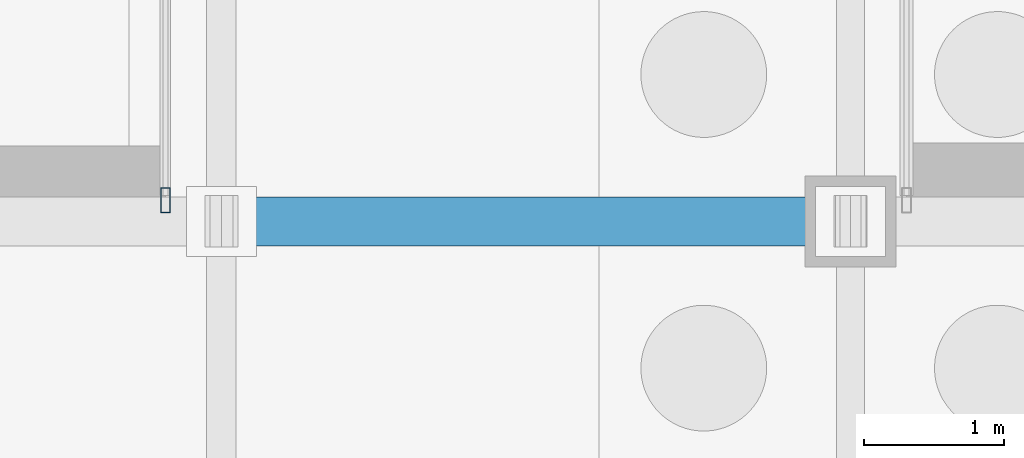
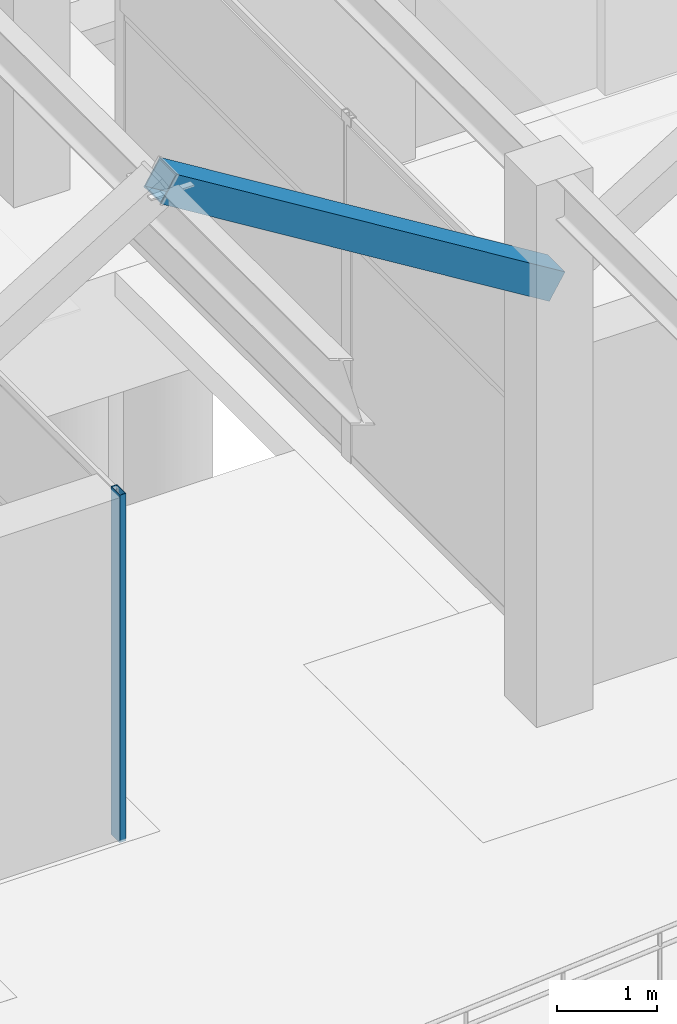
# One storey, part 50 of 160: 2 members, 1 element without a shape of its own.
"""IFC4 building model written with IfcOpenShell, lengths in metres."""

import ifcopenshell
import ifcopenshell.guid

model = None  # the IFC model being written
_history = None  # IfcOwnerHistory: only IFC2X3 demands one
_inside = {}  # id of a spatial element -> (the spatial element, [elements in it])
_under = {}  # id of a project, library or spatial element -> (it, [spatial elements below it])
_declared = {}  # id of a project -> (the project, [libraries it declares])
_typed = {}  # id of a type object -> (the type object, [elements of that type])
_made_of = {}  # id of a material, layer set ... -> (it, [elements and type objects made of it])


def new_model(schema):
    """Start an empty IFC model of exactly this schema.

    Asked for "IFC4X3", IfcOpenShell would pick the latest addendum, in which some entities
    have other attributes; the version numbers below select the first issue.
    IFC2X3 requires an IfcOwnerHistory on every rooted entity: one is made here for all.
    """
    global model, _history
    if schema == "IFC4X3":
        model = ifcopenshell.file(schema_version=(4, 3, 0, 0))
    else:
        model = ifcopenshell.file(schema=schema)
    _inside.clear()
    _under.clear()
    _declared.clear()
    _typed.clear()
    _made_of.clear()
    _history = None
    if model.schema == "IFC2X3":
        org = make("IfcOrganization", Name="unknown")
        user = make(
            "IfcPersonAndOrganization",
            ThePerson=make("IfcPerson", FamilyName="unknown"),
            TheOrganization=org,
        )
        app = make(
            "IfcApplication",
            ApplicationDeveloper=org,
            Version="unknown",
            ApplicationFullName="unknown",
            ApplicationIdentifier="unknown",
        )
        _history = make(
            "IfcOwnerHistory",
            OwningUser=user,
            OwningApplication=app,
            ChangeAction="ADDED",
            CreationDate=0,
        )
    return model


def make(cls, **values):
    """One entity of the class cls with the attributes given. An attribute that is None is left unset."""
    return model.create_entity(
        cls, **{name: value for name, value in values.items() if value is not None}
    )


def rooted(cls, **values):
    """An entity with a GlobalId (a new one), such as an element, a storey or a relation."""
    return make(cls, GlobalId=ifcopenshell.guid.new(), OwnerHistory=_history, **values)


def si_unit(unit_type, name, prefix=None):
    """IfcSIUnit, for example si_unit("LENGTHUNIT", "METRE", prefix="MILLI")."""
    return make("IfcSIUnit", UnitType=unit_type, Prefix=prefix, Name=name)


def assignment(units):
    """IfcUnitAssignment: the units of a project."""
    return None if units is None else make("IfcUnitAssignment", Units=units)


def point(xyz):
    """IfcCartesianPoint."""
    return None if xyz is None else make("IfcCartesianPoint", Coordinates=xyz)


def direction(xyz):
    """IfcDirection."""
    return None if xyz is None else make("IfcDirection", DirectionRatios=xyz)


def frame(location, z_axis=None, x_axis=None):
    """IfcAxis2Placement3D, a coordinate frame: its origin and axes. An axis left out is left unset."""
    return make(
        "IfcAxis2Placement3D",
        Location=point(location),
        Axis=direction(z_axis),
        RefDirection=direction(x_axis),
    )


def frame_2d(location, x_axis=None):
    """IfcAxis2Placement2D, a coordinate frame in the plane: its origin and x axis."""
    return make(
        "IfcAxis2Placement2D", Location=point(location), RefDirection=direction(x_axis)
    )


def origin():
    """The frame at (0, 0, 0) with its axes left unset."""
    return frame((0.0, 0.0, 0.0))


def origin_2d():
    """The frame at (0, 0) in the plane with its x axis left unset."""
    return frame_2d((0.0, 0.0))


def place(relative_to, where):
    """IfcLocalPlacement: puts the frame where relative to a parent placement (None: the world)."""
    return make(
        "IfcLocalPlacement", PlacementRelTo=relative_to, RelativePlacement=where
    )


def context(
    kind, dimensions, precision=None, world=None, true_north=None, identifier=None
):
    """IfcGeometricRepresentationContext, for example the 3D "Model" context."""
    return make(
        "IfcGeometricRepresentationContext",
        ContextIdentifier=identifier,
        ContextType=kind,
        CoordinateSpaceDimension=dimensions,
        Precision=precision,
        WorldCoordinateSystem=world,
        TrueNorth=true_north,
    )


def subcontext(parent, identifier, kind, view, scale=None):
    """IfcGeometricRepresentationSubContext, for example "Body" below "Model"."""
    return make(
        "IfcGeometricRepresentationSubContext",
        ContextIdentifier=identifier,
        ContextType=kind,
        ParentContext=parent,
        TargetScale=scale,
        TargetView=view,
    )


def project(units=None, contexts=None):
    """IfcProject with its units and contexts."""
    return rooted(
        "IfcProject",
        Name="project",
        RepresentationContexts=contexts,
        UnitsInContext=assignment(units),
    )


def spatial(cls, under=None, at=None, **own):
    """A site, building, storey or space (cls), placed at a placement, below another one or the project."""
    s = rooted(cls, ObjectPlacement=at, **own)
    if under is not None:
        _under.setdefault(under.id(), (under, []))[1].append(s)
    return s


def profile(cls, at=None, kind="AREA", **sizes):
    """A parametric profile (cls). Its sizes go by their IFC names, for example OverallWidth=200.0."""
    return make(cls, ProfileType=kind, Position=at, **sizes)


def hollow_rectangle(**sizes):
    """IfcRectangleHollowProfileDef."""
    return profile("IfcRectangleHollowProfileDef", **sizes)


def extrude(swept, where, along, depth):
    """IfcExtrudedAreaSolid: the profile swept, set in the frame where, extruded along a direction by depth."""
    return make(
        "IfcExtrudedAreaSolid",
        SweptArea=swept,
        Position=where,
        ExtrudedDirection=direction(along),
        Depth=depth,
    )


def shape(context_of_items, identifier, shape_type, items):
    """IfcShapeRepresentation: the items that make up one representation, for example the "Body"."""
    return make(
        "IfcShapeRepresentation",
        ContextOfItems=context_of_items,
        RepresentationIdentifier=identifier,
        RepresentationType=shape_type,
        Items=items,
    )


def material(Name=None, Category=None):
    """IfcMaterial."""
    return make("IfcMaterial", Name=Name, Category=Category)


def layer(
    of_material, thickness, ventilated=None, Name=None, Category=None, Priority=None
):
    """IfcMaterialLayer: one layer of a wall or slab, of a material (None: an air gap)."""
    return make(
        "IfcMaterialLayer",
        Material=of_material,
        LayerThickness=thickness,
        IsVentilated=ventilated,
        Name=Name,
        Category=Category,
        Priority=Priority,
    )


def layer_set(layers, Name=None):
    """IfcMaterialLayerSet."""
    return make("IfcMaterialLayerSet", MaterialLayers=layers, LayerSetName=Name)


def material_profile(
    of_material, cross_section, Name=None, Category=None, Priority=None
):
    """IfcMaterialProfile: a cross section and its material."""
    return make(
        "IfcMaterialProfile",
        Name=Name,
        Material=of_material,
        Profile=cross_section,
        Priority=Priority,
        Category=Category,
    )


def profile_set(profiles, Name=None, composite=None):
    """IfcMaterialProfileSet."""
    return make(
        "IfcMaterialProfileSet",
        Name=Name,
        MaterialProfiles=profiles,
        CompositeProfile=composite,
    )


def made_of(thing, what):
    """Note that an element or type object is made of a material, layer set ...; save() writes the relation."""
    if what is not None:
        _made_of.setdefault(what.id(), (what, []))[1].append(thing)
    return thing


def type_object(cls, material=None, **own):
    """A type object (cls), such as IfcWallType, which elements share."""
    return made_of(rooted(cls, **own), material)


def element(
    cls,
    number,
    at=None,
    inside=None,
    cuts=None,
    type_object=None,
    material=None,
    context=None,
    identifier="Body",
    shape_type=None,
    held_by="IfcProductDefinitionShape",
    body=None,
    shapes=None,
    **own,
):
    """One element of the class cls, such as IfcWall. Its Tag is "e" and its number.

    at: its placement. inside: the storey or other place that contains it. cuts: it is an
    opening in that element (IfcRelVoidsElement). A single representation is given by context,
    identifier, shape_type and body (its items); several are given by shapes. held_by: the class
    of the entity that holds the representations. save() writes the other relations.
    """
    e = rooted(cls, Tag="e%d" % number, ObjectPlacement=at, **own)
    if body is not None:
        shapes = [shape(context, identifier, shape_type, body)]
    if shapes is not None:
        e.Representation = make(held_by, Representations=shapes)
    if inside is not None:
        _inside.setdefault(inside.id(), (inside, []))[1].append(e)
    if cuts is not None:
        rooted(
            "IfcRelVoidsElement", RelatingBuildingElement=cuts, RelatedOpeningElement=e
        )
    if type_object is not None:
        _typed.setdefault(type_object.id(), (type_object, []))[1].append(e)
    return made_of(e, material)


def aggregate(whole, parts):
    """IfcRelAggregates: a whole, such as a stair, and the parts it consists of."""
    return rooted("IfcRelAggregates", RelatingObject=whole, RelatedObjects=parts)


def save(model, path):
    """Write the relations noted so far, then the file.

    IfcRelAggregates (storeys below a building ...), IfcRelContainedInSpatialStructure (elements
    in a storey), IfcRelDefinesByType, IfcRelAssociatesMaterial and IfcRelDeclares: one each for
    every whole, place, type object, material and project.
    """
    for whole, parts in _under.values():
        aggregate(whole, parts)
    for where, things in _inside.values():
        rooted(
            "IfcRelContainedInSpatialStructure",
            RelatedElements=things,
            RelatingStructure=where,
        )
    for kind, things in _typed.values():
        rooted("IfcRelDefinesByType", RelatedObjects=things, RelatingType=kind)
    for what, things in _made_of.values():
        rooted("IfcRelAssociatesMaterial", RelatedObjects=things, RelatingMaterial=what)
    for by, libraries in _declared.values():
        rooted("IfcRelDeclares", RelatingContext=by, RelatedDefinitions=libraries)
    model.write(path)


model = new_model("IFC4")

# Units and contexts
model_context = context("Model", 3, precision=1e-05, world=origin(), true_north=direction((0.0, 1.0)))
body_context = subcontext(model_context, "Body", "Model", "MODEL_VIEW")
ifc_project = project(units=[si_unit("LENGTHUNIT", "METRE"), si_unit("AREAUNIT", "SQUARE_METRE"), si_unit("VOLUMEUNIT", "CUBIC_METRE"), si_unit("PLANEANGLEUNIT", "RADIAN"), si_unit("MASSUNIT", "GRAM", prefix="KILO")], contexts=[model_context])

# Site, building, storey
site_placement = place(None, origin())
site = spatial("IfcSite", under=ifc_project, at=site_placement, CompositionType="ELEMENT")
building_placement = place(site_placement, origin())
building = spatial("IfcBuilding", under=site, at=building_placement, Name="Marlcrest Central Station", CompositionType="ELEMENT")
storey_placement = place(building_placement, origin())
storey = spatial("IfcBuildingStorey", under=building, at=storey_placement, Name="L00", CompositionType="ELEMENT", Elevation=0.0)

# Curtain wall, member
ifc_material_1 = material(Name="Anodised aluminium and hurricane laminated glass", Category="aluminium")
ifc_layer = layer(ifc_material_1, 0.179931640625, Name="CW-S1")
ifc_layer_set = layer_set([ifc_layer], Name="Anodised aluminium and hurricane laminated glass")
curtain_wall_type = type_object("IfcCurtainWallType", Name="CW-S1", PredefinedType="USERDEFINED", material=ifc_layer_set)
curtain_wall_placement = place(storey_placement, origin())
curtain_wall = element("IfcCurtainWall", 1, at=curtain_wall_placement, inside=storey, type_object=curtain_wall_type, Name="cw-L00-0146", ObjectType="STICK_CURTAIN_WALL", PredefinedType="USERDEFINED")
ifc_material_2 = material(Name="Anodised aluminium 6063-T6", Category="aluminium")
ifc_material_profile_1 = material_profile(ifc_material_2, hollow_rectangle(XDim=0.070068359375, YDim=0.179931640625, WallThickness=0.0048828125, at=origin_2d()), Name="AA-RHS 180x70x5")
ifc_profile_set_1 = profile_set([ifc_material_profile_1], Name="Anodised aluminium 6063-T6")
member_type_1 = type_object("IfcMemberType", Name="ML-02", PredefinedType="MULLION", material=ifc_profile_set_1)
member_1_placement = place(storey_placement, frame((40.10009765625, 22.64990234375, -0.030029296875), z_axis=(0.0, 0.0, 1.0), x_axis=(1.0, 0.0, 0.0)))
member_1 = element("IfcMember", 2, at=member_1_placement, type_object=member_type_1, Name="cw-L00-0146-ml-2", PredefinedType="MULLION", context=body_context, shape_type="SweptSolid", body=[
    extrude(hollow_rectangle(XDim=0.070068359375, YDim=0.179931640625, WallThickness=0.0048828125, at=origin_2d()), origin(), (0.0, 0.0, 1.0), 4.260009765625),
])
aggregate(curtain_wall, [member_1])

# Member
ifc_material_3 = material(Name="Steel S355", Category="steel")
ifc_material_profile_2 = material_profile(ifc_material_3, hollow_rectangle(XDim=0.35009765625, YDim=0.35009765625, WallThickness=0.01611328125, at=origin_2d()), Name="SHS 350x350x16")
ifc_profile_set_2 = profile_set([ifc_material_profile_2], Name="Steel S355")
member_type_2 = type_object("IfcMemberType", Name="ST-02", PredefinedType="STRUT", material=ifc_profile_set_2)
member_2_placement = place(storey_placement, frame((45.0, 22.5, 5.199951171875), z_axis=(-0.851591684043, 0.0, 0.524205688322), x_axis=(0.0, -1.0, 0.0)))
element("IfcMember", 3, at=member_2_placement, inside=storey, type_object=member_type_2, Name="mem-ST-02-L00-00046", PredefinedType="STRUT", context=body_context, shape_type="SweptSolid", body=[
    extrude(hollow_rectangle(XDim=0.35009765625, YDim=0.35009765625, WallThickness=0.01611328125, at=origin_2d()), origin(), (0.0, 0.0, 1.0), 5.2841796875),
])

save(model, "model.ifc")
